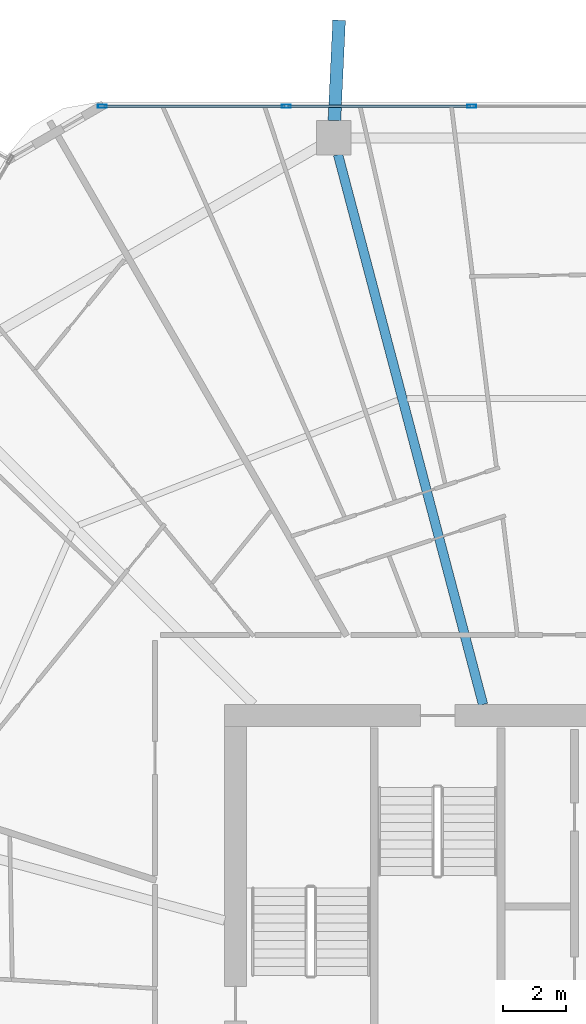
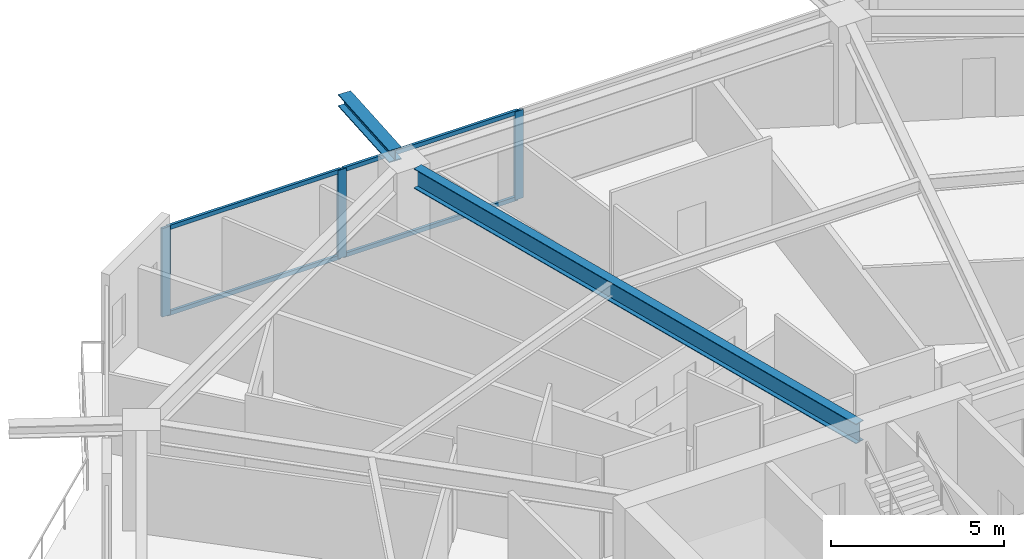
# One storey, part 16 of 33: 7 members, 2 beams, 1 element without a shape of its own.
"""IFC4 building model written with IfcOpenShell, lengths in metres."""

from ifc_helpers import new_model, si_unit, direction, frame, origin, origin_2d, place, context, subcontext, project, spatial, hollow_rectangle, i_section, extrude, material, material_profile, profile_set, type_object, element, aggregate, save


model = new_model("IFC4")

# Units and contexts
model_context = context("Model", 3, precision=1e-05, world=origin(), true_north=direction((0.0, 1.0)))
body_context = subcontext(model_context, "Body", "Model", "MODEL_VIEW")
ifc_project = project(units=[si_unit("LENGTHUNIT", "METRE"), si_unit("AREAUNIT", "SQUARE_METRE"), si_unit("VOLUMEUNIT", "CUBIC_METRE"), si_unit("PLANEANGLEUNIT", "RADIAN"), si_unit("MASSUNIT", "GRAM", prefix="KILO")], contexts=[model_context])

# Site, building, storey
site_placement = place(None, origin())
site = spatial("IfcSite", under=ifc_project, at=site_placement, CompositionType="ELEMENT")
building_placement = place(site_placement, origin())
building = spatial("IfcBuilding", under=site, at=building_placement, Name="Zuhravey Tower", CompositionType="ELEMENT")
storey_placement = place(building_placement, frame((0.0, 0.0, 96.199951171875)))
storey = spatial("IfcBuildingStorey", under=building, at=storey_placement, Name="L23", CompositionType="ELEMENT", Elevation=96.199951171875)

# Curtain wall, members
ifc_material_1 = material(Name="Thermally broken anodised aluminium", Category="aluminium")
curtain_wall_type = type_object("IfcCurtainWallType", Name="Zone 1-2 Residential Curtain Wall CW3", PredefinedType="NOTDEFINED", material=ifc_material_1)
curtain_wall_placement = place(storey_placement, origin())
curtain_wall = element("IfcCurtainWall", 1, at=curtain_wall_placement, inside=storey, type_object=curtain_wall_type, Name="L23 CW3 CW-L23-F2-1", PredefinedType="NOTDEFINED")
ifc_material_2 = material(Name="Anodised aluminium", Category="aluminium")
ifc_material_profile_1 = material_profile(ifc_material_2, hollow_rectangle(XDim=0.090087890625, YDim=0.284912109375, WallThickness=0.0048828125, at=origin_2d()), Name="ALU-RHS-90x285x5")
ifc_profile_set_1 = profile_set([ifc_material_profile_1], Name="Anodised aluminium")
member_type_1 = type_object("IfcMemberType", Name="Curtain-Wall Mullion 90x180", PredefinedType="MULLION", material=ifc_profile_set_1)
member_1_placement = place(storey_placement, frame((21.24560546875, 60.95849609375, 0.0), z_axis=(0.0, 0.0, 1.0), x_axis=(0.0, 1.0, 0.0)))
member_1 = element("IfcMember", 2, at=member_1_placement, type_object=member_type_1, Name="CW3 mullion 1", PredefinedType="MULLION", context=body_context, shape_type="SweptSolid", body=[
    extrude(hollow_rectangle(XDim=0.090087890625, YDim=0.284912109375, WallThickness=0.0048828125, at=origin_2d()), origin(), (0.0, 0.0, 1.0), 3.1220703125),
])
member_2_placement = place(storey_placement, frame((27.120361328125, 60.95849609375, 0.0), z_axis=(0.0, 0.0, 1.0), x_axis=(0.0, 1.0, 0.0)))
member_2 = element("IfcMember", 3, at=member_2_placement, type_object=member_type_1, Name="CW3 mullion 2", PredefinedType="MULLION", context=body_context, shape_type="SweptSolid", body=[
    extrude(hollow_rectangle(XDim=0.090087890625, YDim=0.284912109375, WallThickness=0.0048828125, at=origin_2d()), origin(), (0.0, 0.0, 1.0), 3.1220703125),
])
member_3_placement = place(storey_placement, frame((33.0400390625, 60.95849609375, 0.0), z_axis=(0.0, 0.0, 1.0), x_axis=(0.0, 1.0, 0.0)))
member_3 = element("IfcMember", 4, at=member_3_placement, type_object=member_type_1, Name="CW3 mullion 3", PredefinedType="MULLION", context=body_context, shape_type="SweptSolid", body=[
    extrude(hollow_rectangle(XDim=0.090087890625, YDim=0.284912109375, WallThickness=0.0048828125, at=origin_2d()), origin(), (0.0, 0.0, 1.0), 3.1220703125),
])
ifc_material_profile_2 = material_profile(ifc_material_2, hollow_rectangle(XDim=0.090087890625, YDim=0.14990234375, WallThickness=0.0048828125, at=origin_2d()), Name="ALU-RHS-90x150x5")
ifc_profile_set_2 = profile_set([ifc_material_profile_2], Name="Anodised aluminium")
member_type_2 = type_object("IfcMemberType", Name="Curtain-Wall Transom 90x150", PredefinedType="USERDEFINED", material=ifc_profile_set_2)
member_4_placement = place(storey_placement, frame((21.29052734375, 60.95849609375, 0.045166015625), z_axis=(1.0, 0.0, 0.0), x_axis=(0.0, 1.0, 0.0)))
member_4 = element("IfcMember", 5, at=member_4_placement, type_object=member_type_2, Name="CW3 transom 1.1", ObjectType="TRANSOM", PredefinedType="USERDEFINED", context=body_context, shape_type="SweptSolid", body=[
    extrude(hollow_rectangle(XDim=0.090087890625, YDim=0.14990234375, WallThickness=0.0048828125, at=origin_2d()), origin(), (0.0, 0.0, 1.0), 5.78466796875),
])
member_5_placement = place(storey_placement, frame((21.29052734375, 60.95849609375, 3.0771484375), z_axis=(1.0, 0.0, 0.0), x_axis=(0.0, 1.0, 0.0)))
member_5 = element("IfcMember", 6, at=member_5_placement, type_object=member_type_2, Name="CW3 transom 1.2", ObjectType="TRANSOM", PredefinedType="USERDEFINED", context=body_context, shape_type="SweptSolid", body=[
    extrude(hollow_rectangle(XDim=0.090087890625, YDim=0.14990234375, WallThickness=0.0048828125, at=origin_2d()), origin(), (0.0, 0.0, 1.0), 5.78466796875),
])
member_6_placement = place(storey_placement, frame((27.165283203125, 60.95849609375, 0.045166015625), z_axis=(1.0, 0.0, 0.0), x_axis=(0.0, 1.0, 0.0)))
member_6 = element("IfcMember", 7, at=member_6_placement, type_object=member_type_2, Name="CW3 transom 2.1", ObjectType="TRANSOM", PredefinedType="USERDEFINED", context=body_context, shape_type="SweptSolid", body=[
    extrude(hollow_rectangle(XDim=0.090087890625, YDim=0.14990234375, WallThickness=0.0048828125, at=origin_2d()), origin(), (0.0, 0.0, 1.0), 5.829833984375),
])
member_7_placement = place(storey_placement, frame((27.165283203125, 60.95849609375, 3.0771484375), z_axis=(1.0, 0.0, 0.0), x_axis=(0.0, 1.0, 0.0)))
member_7 = element("IfcMember", 8, at=member_7_placement, type_object=member_type_2, Name="CW3 transom 2.2", ObjectType="TRANSOM", PredefinedType="USERDEFINED", context=body_context, shape_type="SweptSolid", body=[
    extrude(hollow_rectangle(XDim=0.090087890625, YDim=0.14990234375, WallThickness=0.0048828125, at=origin_2d()), origin(), (0.0, 0.0, 1.0), 5.829833984375),
])
aggregate(curtain_wall, [member_1, member_2, member_3, member_4, member_5, member_6, member_7])

# Beams
ifc_material_3 = material(Name="Steel SM460", Category="steel")
ifc_material_profile_3 = material_profile(ifc_material_3, i_section(OverallWidth=0.406982421875, OverallDepth=0.427978515625, WebThickness=0.02001953125, FlangeThickness=0.034912109375, at=origin_2d()), Name="H-428x407x20x35")
ifc_profile_set_3 = profile_set([ifc_material_profile_3], Name="Steel SM460")
beam_type_1 = type_object("IfcBeamType", Name="Exoskeleton Node Tie Beam H428x407", PredefinedType="BEAM", material=ifc_profile_set_3)
beam_1_placement = place(storey_placement, frame((28.65576171875, 60.50244140625, 3.3359375), z_axis=(0.046700060299, 0.998908956997, 0.0), x_axis=(-0.998908956997, 0.046700060299, 0.0)))
element("IfcBeam", 9, at=beam_1_placement, inside=storey, type_object=beam_type_1, Name="L23 Exoskeleton Node Tie NT1-04", PredefinedType="BEAM", context=body_context, shape_type="SweptSolid", body=[
    extrude(i_section(OverallWidth=0.406982421875, OverallDepth=0.427978515625, WebThickness=0.02001953125, FlangeThickness=0.034912109375, at=origin_2d()), origin(), (0.0, 0.0, 1.0), 3.20458984375),
])
ifc_material_4 = material(Name="Steel SM355", Category="steel")
ifc_material_profile_4 = material_profile(ifc_material_4, i_section(OverallWidth=0.300048828125, OverallDepth=0.699951171875, WebThickness=0.012939453125, FlangeThickness=0.02392578125, at=origin_2d()), Name="H-700x300x13x24")
ifc_profile_set_4 = profile_set([ifc_material_profile_4], Name="Steel SM355")
beam_type_2 = type_object("IfcBeamType", Name="Radial Primary Girder H700x300", PredefinedType="BEAM", material=ifc_profile_set_4)
beam_2_placement = place(storey_placement, frame((33.40185546875, 41.85302734375, 3.199951171875), z_axis=(-0.25498755891, 0.966944333869, 0.0), x_axis=(-0.966944333869, -0.25498755891, 0.0)))
element("IfcBeam", 10, at=beam_2_placement, inside=storey, type_object=beam_type_2, Name="L23 RG1 BM-L23-RAD-04", PredefinedType="BEAM", context=body_context, shape_type="SweptSolid", body=[
    extrude(i_section(OverallWidth=0.300048828125, OverallDepth=0.699951171875, WebThickness=0.012939453125, FlangeThickness=0.02392578125, at=origin_2d()), origin(), (0.0, 0.0, 1.0), 18.1611328125),
])

save(model, "model.ifc")
